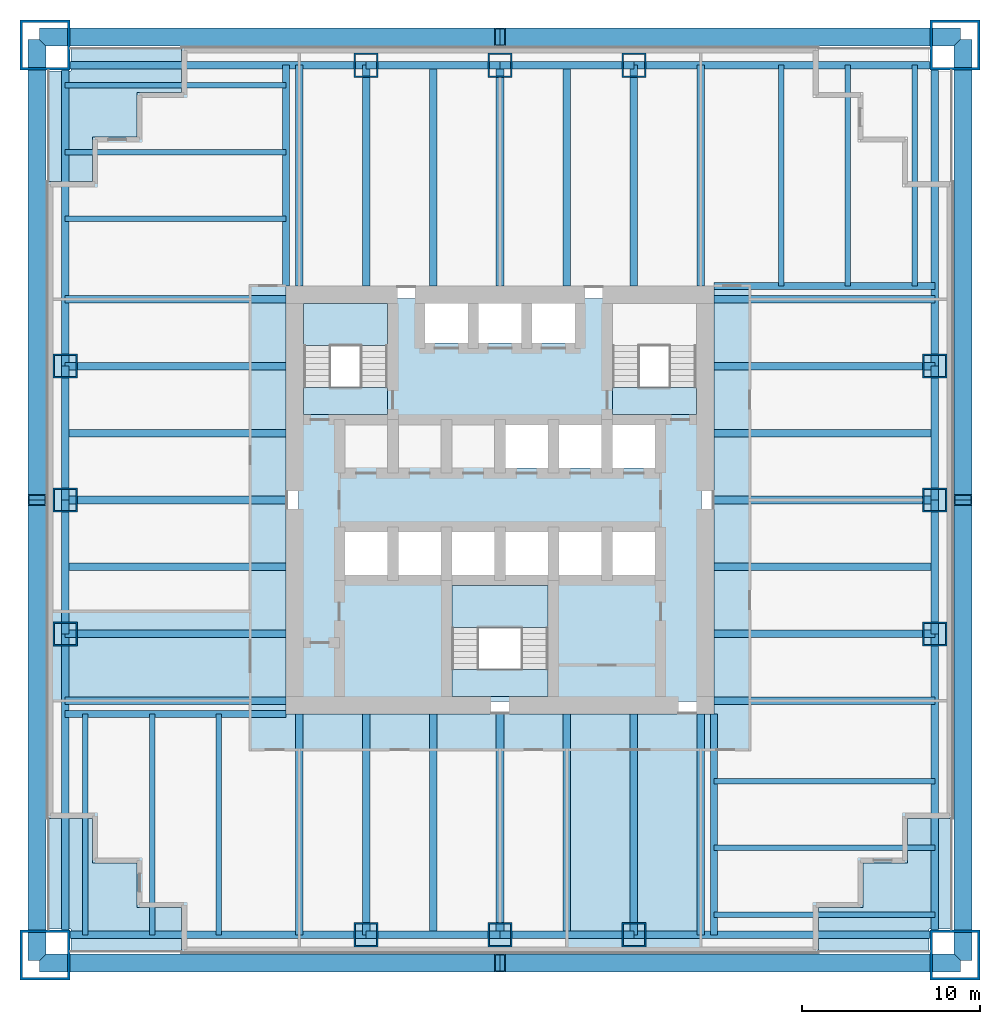
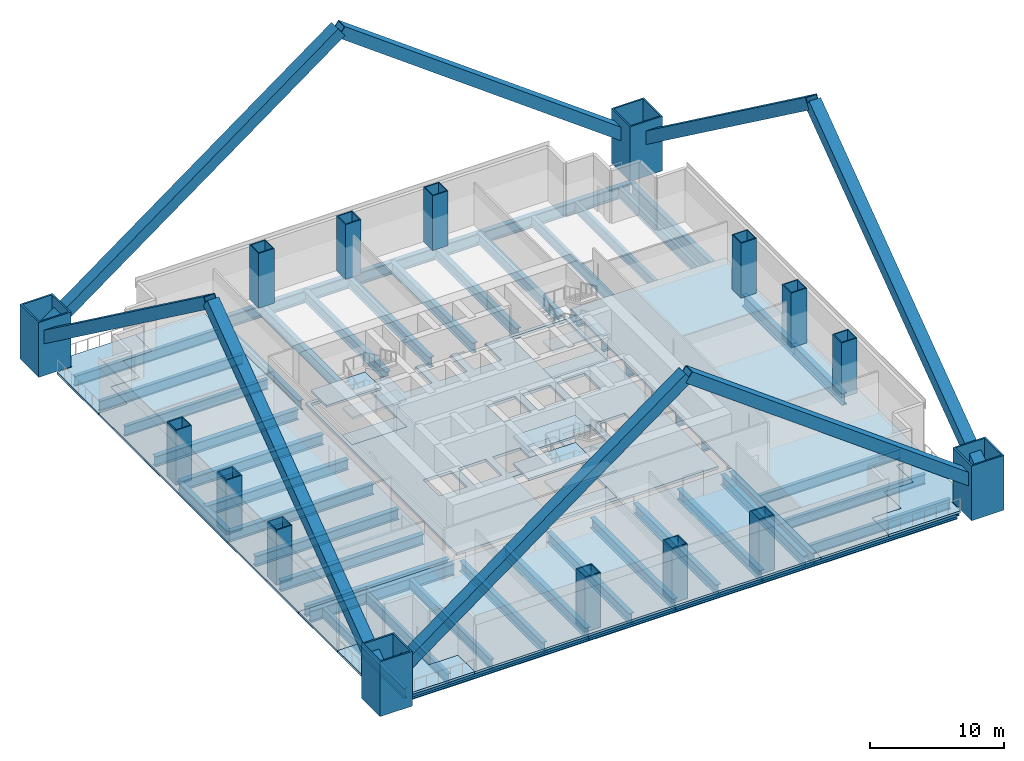
# One storey, part 1 of 6: 60 beams, 16 columns, 16 slabs, 8 members, 3 elements without a shape of their own.
"""IFC4 building model written with IfcOpenShell, lengths in metres."""

from ifc_helpers import new_model, si_unit, direction, frame, origin, origin_2d, place, context, subcontext, project, spatial, polyline, hollow_rectangle, i_section, outline, extrude, material, layer, layer_set, material_profile, profile_set, type_object, element, aggregate, save


model = new_model("IFC4")

# Units and contexts
model_context = context("Model", 3, precision=1e-05, world=origin(), true_north=direction((0.0, 1.0)))
body_context = subcontext(model_context, "Body", "Model", "MODEL_VIEW")
ifc_project = project(units=[si_unit("LENGTHUNIT", "METRE"), si_unit("AREAUNIT", "SQUARE_METRE"), si_unit("VOLUMEUNIT", "CUBIC_METRE"), si_unit("PLANEANGLEUNIT", "RADIAN"), si_unit("MASSUNIT", "GRAM", prefix="KILO")], contexts=[model_context])

# Site, building, storey
site_placement = place(None, origin())
site = spatial("IfcSite", under=ifc_project, at=site_placement, CompositionType="ELEMENT")
building_placement = place(site_placement, origin())
building = spatial("IfcBuilding", under=site, at=building_placement, Name="Tarangal Relay Tower", CompositionType="ELEMENT")
storey_placement = place(building_placement, frame((0.0, 0.0, 58.39990234375)))
storey = spatial("IfcBuildingStorey", under=building, at=storey_placement, Name="L11", CompositionType="ELEMENT", Elevation=58.39990234375)

# Columns
ifc_material_1 = material(Name="Steel ASTM A572 Grade 42", Category="steel")
ifc_material_profile_1 = material_profile(ifc_material_1, hollow_rectangle(XDim=2.800048828125, YDim=2.800048828125, WallThickness=0.139892578125, at=origin_2d()), Name="BOX2800X2800X140")
ifc_profile_set_1 = profile_set([ifc_material_profile_1], Name="Steel ASTM A572 Grade 42")
column_type_1 = type_object("IfcColumnType", Name="Mega column BOX2800X2800X140", PredefinedType="COLUMN", material=ifc_profile_set_1)
for number, where, z_axis, x_axis, name in (
    (1, (25.5, 25.5, 0.0), (0.0, 0.0, 1.0), (1.0, 0.0, 0.0), "Mega column MC1 NE L11"),
    (2, (25.5, -25.5, 0.0), (0.0, 0.0, 1.0), (1.0, 0.0, 0.0), "Mega column MC1 SE L11"),
    (3, (-25.5, -25.5, 0.0), (0.0, 0.0, 1.0), (1.0, 0.0, 0.0), "Mega column MC1 SW L11"),
    (4, (-25.5, 25.5, 0.0), (0.0, 0.0, 1.0), (1.0, 0.0, 0.0), "Mega column MC1 NW L11"),
):
    element("IfcColumn", number, at=place(storey_placement, frame(where, z_axis=z_axis, x_axis=x_axis)), inside=storey, type_object=column_type_1, Name=name, PredefinedType="COLUMN", context=body_context, shape_type="SweptSolid", body=[
        extrude(hollow_rectangle(XDim=2.800048828125, YDim=2.800048828125, WallThickness=0.139892578125, at=origin_2d()), origin(), (0.0, 0.0, 1.0), 5.0),
    ])
ifc_material_2 = material(Name="Steel ASTM A572 Grade 50", Category="steel")
ifc_material_profile_2 = material_profile(ifc_material_2, hollow_rectangle(XDim=1.35009765625, YDim=1.35009765625, WallThickness=0.0849609375, at=origin_2d()), Name="BOX1350X1350X85")
ifc_profile_set_2 = profile_set([ifc_material_profile_2], Name="Steel ASTM A572 Grade 50")
column_type_2 = type_object("IfcColumnType", Name="Perimeter column BOX1350X1350X85", PredefinedType="COLUMN", material=ifc_profile_set_2)
for number, where, z_axis, x_axis, name in (
    (5, (-7.5, 24.364990234375, 0.0), (0.0, 0.0, 1.0), (1.0, 0.0, 0.0), "Perimeter column PC2 N L11"),
    (6, (0.0, 24.364990234375, 0.0), (0.0, 0.0, 1.0), (1.0, 0.0, 0.0), "Perimeter column PC2 N L11"),
    (7, (7.5, 24.364990234375, 0.0), (0.0, 0.0, 1.0), (1.0, 0.0, 0.0), "Perimeter column PC2 N L11"),
    (8, (24.364990234375, 7.5, 0.0), (0.0, 0.0, 1.0), (1.0, 0.0, 0.0), "Perimeter column PC2 E L11"),
    (9, (24.364990234375, 0.0, 0.0), (0.0, 0.0, 1.0), (1.0, 0.0, 0.0), "Perimeter column PC2 E L11"),
    (10, (24.364990234375, -7.5, 0.0), (0.0, 0.0, 1.0), (1.0, 0.0, 0.0), "Perimeter column PC2 E L11"),
    (11, (7.5, -24.364990234375, 0.0), (0.0, 0.0, 1.0), (1.0, 0.0, 0.0), "Perimeter column PC2 S L11"),
    (12, (0.0, -24.364990234375, 0.0), (0.0, 0.0, 1.0), (1.0, 0.0, 0.0), "Perimeter column PC2 S L11"),
    (13, (-7.5, -24.364990234375, 0.0), (0.0, 0.0, 1.0), (1.0, 0.0, 0.0), "Perimeter column PC2 S L11"),
    (14, (-24.364990234375, -7.5, 0.0), (0.0, 0.0, 1.0), (1.0, 0.0, 0.0), "Perimeter column PC2 W L11"),
    (15, (-24.364990234375, 0.0, 0.0), (0.0, 0.0, 1.0), (1.0, 0.0, 0.0), "Perimeter column PC2 W L11"),
    (16, (-24.364990234375, 7.5, 0.0), (0.0, 0.0, 1.0), (1.0, 0.0, 0.0), "Perimeter column PC2 W L11"),
):
    element("IfcColumn", number, at=place(storey_placement, frame(where, z_axis=z_axis, x_axis=x_axis)), inside=storey, type_object=column_type_2, Name=name, PredefinedType="COLUMN", context=body_context, shape_type="SweptSolid", body=[
        extrude(hollow_rectangle(XDim=1.35009765625, YDim=1.35009765625, WallThickness=0.0849609375, at=origin_2d()), origin(), (0.0, 0.0, 1.0), 5.0),
    ])

# Beams
ifc_material_3 = material(Name="Steel ASTM A992", Category="steel")
ifc_material_profile_3 = material_profile(ifc_material_3, i_section(OverallWidth=0.307373046875, OverallDepth=0.927001953125, WebThickness=0.019287109375, FlangeThickness=0.031982421875, at=origin_2d()), Name="W36X194")
ifc_profile_set_3 = profile_set([ifc_material_profile_3], Name="Steel ASTM A992")
beam_type_1 = type_object("IfcBeamType", Name="Corner beam W36X194", PredefinedType="JOIST", material=ifc_profile_set_3)
for number, where, z_axis, x_axis, name in (
    (17, (15.75, 12.0, -0.66357421875), (0.0, 1.0, 0.0), (-1.0, 0.0, 0.0), "Corner beam CB10 N L11"),
    (18, (19.5, 12.0, -0.66357421875), (0.0, 1.0, 0.0), (-1.0, 0.0, 0.0), "Corner beam CB10 N L11"),
    (19, (23.25, 12.0, -0.66357421875), (0.0, 1.0, 0.0), (-1.0, 0.0, 0.0), "Corner beam CB10 N L11"),
    (20, (12.0, -15.75, -0.66357421875), (1.0, 0.0, 0.0), (0.0, 1.0, 0.0), "Corner beam CB10 E L11"),
    (21, (12.0, -19.5, -0.66357421875), (1.0, 0.0, 0.0), (0.0, 1.0, 0.0), "Corner beam CB10 E L11"),
    (22, (12.0, -23.25, -0.66357421875), (1.0, 0.0, 0.0), (0.0, 1.0, 0.0), "Corner beam CB10 E L11"),
    (23, (-15.75, -12.0, -0.66357421875), (0.0, -1.0, 0.0), (1.0, 0.0, 0.0), "Corner beam CB10 S L11"),
    (24, (-19.5, -12.0, -0.66357421875), (0.0, -1.0, 0.0), (1.0, 0.0, 0.0), "Corner beam CB10 S L11"),
    (25, (-23.25, -12.0, -0.66357421875), (0.0, -1.0, 0.0), (1.0, 0.0, 0.0), "Corner beam CB10 S L11"),
    (26, (-12.0, 15.75, -0.66357421875), (-1.0, 0.0, 0.0), (0.0, -1.0, 0.0), "Corner beam CB10 W L11"),
    (27, (-12.0, 19.5, -0.66357421875), (-1.0, 0.0, 0.0), (0.0, -1.0, 0.0), "Corner beam CB10 W L11"),
    (28, (-12.0, 23.25, -0.66357421875), (-1.0, 0.0, 0.0), (0.0, -1.0, 0.0), "Corner beam CB10 W L11"),
):
    element("IfcBeam", number, at=place(storey_placement, frame(where, z_axis=z_axis, x_axis=x_axis)), inside=storey, type_object=beam_type_1, Name=name, PredefinedType="JOIST", context=body_context, shape_type="SweptSolid", body=[
        extrude(i_section(OverallWidth=0.307373046875, OverallDepth=0.927001953125, WebThickness=0.019287109375, FlangeThickness=0.031982421875, at=origin_2d()), origin(), (0.0, 0.0, 1.0), 12.364990234375),
    ])
ifc_material_profile_4 = material_profile(ifc_material_3, i_section(OverallWidth=0.40380859375, OverallDepth=1.036376953125, WebThickness=0.031005859375, FlangeThickness=0.0458984375, at=origin_2d()), Name="W40X331")
ifc_profile_set_4 = profile_set([ifc_material_profile_4], Name="Steel ASTM A992")
beam_type_2 = type_object("IfcBeamType", Name="Corner girder W40X331", PredefinedType="BEAM", material=ifc_profile_set_4)
for number, where, z_axis, x_axis, name in (
    (29, (12.0, 12.0, -0.718017578125), (1.0, 0.0, 0.0), (0.0, 1.0, 0.0), "Corner girder CG2 N L11"),
    (30, (12.0, -12.0, -0.718017578125), (0.0, -1.0, 0.0), (1.0, 0.0, 0.0), "Corner girder CG2 E L11"),
    (31, (-12.0, -12.0, -0.718017578125), (-1.0, 0.0, 0.0), (0.0, -1.0, 0.0), "Corner girder CG2 S L11"),
    (32, (-12.0, 12.0, -0.718017578125), (0.0, 1.0, 0.0), (-1.0, 0.0, 0.0), "Corner girder CG2 W L11"),
):
    element("IfcBeam", number, at=place(storey_placement, frame(where, z_axis=z_axis, x_axis=x_axis)), inside=storey, type_object=beam_type_2, Name=name, PredefinedType="BEAM", context=body_context, shape_type="SweptSolid", body=[
        extrude(i_section(OverallWidth=0.40380859375, OverallDepth=1.036376953125, WebThickness=0.031005859375, FlangeThickness=0.0458984375, at=origin_2d()), origin(), (0.0, 0.0, 1.0), 12.364990234375),
    ])
ifc_material_profile_5 = material_profile(ifc_material_3, i_section(OverallWidth=0.42431640625, OverallDepth=1.09228515625, WebThickness=0.04541015625, FlangeThickness=0.08203125, at=origin_2d()), Name="W40X593")
ifc_profile_set_5 = profile_set([ifc_material_profile_5], Name="Steel ASTM A992")
beam_type_3 = type_object("IfcBeamType", Name="Edge girder W40X593", PredefinedType="SPANDREL", material=ifc_profile_set_5)
beam_1_placement = place(storey_placement, frame((-24.25, 24.364990234375, -0.74609375), z_axis=(1.0, 0.0, 0.0), x_axis=(0.0, 1.0, 0.0)))
element("IfcBeam", 33, at=beam_1_placement, inside=storey, type_object=beam_type_3, Name="Edge girder EG9 N L11", PredefinedType="SPANDREL", context=body_context, shape_type="SweptSolid", body=[
    extrude(i_section(OverallWidth=0.42431640625, OverallDepth=1.09228515625, WebThickness=0.04541015625, FlangeThickness=0.08203125, at=origin_2d()), origin(), (0.0, 0.0, 1.0), 16.75),
])
for number, where, z_axis, x_axis, name in (
    (34, (-7.5, 24.364990234375, -0.74609375), (1.0, 0.0, 0.0), (0.0, 1.0, 0.0), "Edge girder EG9 N L11"),
    (35, (0.0, 24.364990234375, -0.74609375), (1.0, 0.0, 0.0), (0.0, 1.0, 0.0), "Edge girder EG9 N L11"),
):
    element("IfcBeam", number, at=place(storey_placement, frame(where, z_axis=z_axis, x_axis=x_axis)), inside=storey, type_object=beam_type_3, Name=name, PredefinedType="SPANDREL", context=body_context, shape_type="SweptSolid", body=[
        extrude(i_section(OverallWidth=0.42431640625, OverallDepth=1.09228515625, WebThickness=0.04541015625, FlangeThickness=0.08203125, at=origin_2d()), origin(), (0.0, 0.0, 1.0), 7.5),
    ])
for number, where, z_axis, x_axis, name in (
    (36, (7.5, 24.364990234375, -0.74609375), (1.0, 0.0, 0.0), (0.0, 1.0, 0.0), "Edge girder EG9 N L11"),
    (37, (24.364990234375, 24.25, -0.74609375), (0.0, -1.0, 0.0), (1.0, 0.0, 0.0), "Edge girder EG9 E L11"),
):
    element("IfcBeam", number, at=place(storey_placement, frame(where, z_axis=z_axis, x_axis=x_axis)), inside=storey, type_object=beam_type_3, Name=name, PredefinedType="SPANDREL", context=body_context, shape_type="SweptSolid", body=[
        extrude(i_section(OverallWidth=0.42431640625, OverallDepth=1.09228515625, WebThickness=0.04541015625, FlangeThickness=0.08203125, at=origin_2d()), origin(), (0.0, 0.0, 1.0), 16.75),
    ])
for number, where, z_axis, x_axis, name in (
    (38, (24.364990234375, 7.5, -0.74609375), (0.0, -1.0, 0.0), (1.0, 0.0, 0.0), "Edge girder EG9 E L11"),
    (39, (24.364990234375, 0.0, -0.74609375), (0.0, -1.0, 0.0), (1.0, 0.0, 0.0), "Edge girder EG9 E L11"),
):
    element("IfcBeam", number, at=place(storey_placement, frame(where, z_axis=z_axis, x_axis=x_axis)), inside=storey, type_object=beam_type_3, Name=name, PredefinedType="SPANDREL", context=body_context, shape_type="SweptSolid", body=[
        extrude(i_section(OverallWidth=0.42431640625, OverallDepth=1.09228515625, WebThickness=0.04541015625, FlangeThickness=0.08203125, at=origin_2d()), origin(), (0.0, 0.0, 1.0), 7.5),
    ])
for number, where, z_axis, x_axis, name in (
    (40, (24.364990234375, -7.5, -0.74609375), (0.0, -1.0, 0.0), (1.0, 0.0, 0.0), "Edge girder EG9 E L11"),
    (41, (24.25, -24.364990234375, -0.74609375), (-1.0, 0.0, 0.0), (0.0, -1.0, 0.0), "Edge girder EG9 S L11"),
):
    element("IfcBeam", number, at=place(storey_placement, frame(where, z_axis=z_axis, x_axis=x_axis)), inside=storey, type_object=beam_type_3, Name=name, PredefinedType="SPANDREL", context=body_context, shape_type="SweptSolid", body=[
        extrude(i_section(OverallWidth=0.42431640625, OverallDepth=1.09228515625, WebThickness=0.04541015625, FlangeThickness=0.08203125, at=origin_2d()), origin(), (0.0, 0.0, 1.0), 16.75),
    ])
for number, where, z_axis, x_axis, name in (
    (42, (7.5, -24.364990234375, -0.74609375), (-1.0, 0.0, 0.0), (0.0, -1.0, 0.0), "Edge girder EG9 S L11"),
    (43, (0.0, -24.364990234375, -0.74609375), (-1.0, 0.0, 0.0), (0.0, -1.0, 0.0), "Edge girder EG9 S L11"),
):
    element("IfcBeam", number, at=place(storey_placement, frame(where, z_axis=z_axis, x_axis=x_axis)), inside=storey, type_object=beam_type_3, Name=name, PredefinedType="SPANDREL", context=body_context, shape_type="SweptSolid", body=[
        extrude(i_section(OverallWidth=0.42431640625, OverallDepth=1.09228515625, WebThickness=0.04541015625, FlangeThickness=0.08203125, at=origin_2d()), origin(), (0.0, 0.0, 1.0), 7.5),
    ])
for number, where, z_axis, x_axis, name in (
    (44, (-7.5, -24.364990234375, -0.74609375), (-1.0, 0.0, 0.0), (0.0, -1.0, 0.0), "Edge girder EG9 S L11"),
    (45, (-24.364990234375, -24.25, -0.74609375), (0.0, 1.0, 0.0), (-1.0, 0.0, 0.0), "Edge girder EG9 W L11"),
):
    element("IfcBeam", number, at=place(storey_placement, frame(where, z_axis=z_axis, x_axis=x_axis)), inside=storey, type_object=beam_type_3, Name=name, PredefinedType="SPANDREL", context=body_context, shape_type="SweptSolid", body=[
        extrude(i_section(OverallWidth=0.42431640625, OverallDepth=1.09228515625, WebThickness=0.04541015625, FlangeThickness=0.08203125, at=origin_2d()), origin(), (0.0, 0.0, 1.0), 16.75),
    ])
for number, where, z_axis, x_axis, name in (
    (46, (-24.364990234375, -7.5, -0.74609375), (0.0, 1.0, 0.0), (-1.0, 0.0, 0.0), "Edge girder EG9 W L11"),
    (47, (-24.364990234375, 0.0, -0.74609375), (0.0, 1.0, 0.0), (-1.0, 0.0, 0.0), "Edge girder EG9 W L11"),
):
    element("IfcBeam", number, at=place(storey_placement, frame(where, z_axis=z_axis, x_axis=x_axis)), inside=storey, type_object=beam_type_3, Name=name, PredefinedType="SPANDREL", context=body_context, shape_type="SweptSolid", body=[
        extrude(i_section(OverallWidth=0.42431640625, OverallDepth=1.09228515625, WebThickness=0.04541015625, FlangeThickness=0.08203125, at=origin_2d()), origin(), (0.0, 0.0, 1.0), 7.5),
    ])
beam_2_placement = place(storey_placement, frame((-24.364990234375, 7.5, -0.74609375), z_axis=(0.0, 1.0, 0.0), x_axis=(-1.0, 0.0, 0.0)))
element("IfcBeam", 48, at=beam_2_placement, inside=storey, type_object=beam_type_3, Name="Edge girder EG9 W L11", PredefinedType="SPANDREL", context=body_context, shape_type="SweptSolid", body=[
    extrude(i_section(OverallWidth=0.42431640625, OverallDepth=1.09228515625, WebThickness=0.04541015625, FlangeThickness=0.08203125, at=origin_2d()), origin(), (0.0, 0.0, 1.0), 16.75),
])
ifc_material_profile_6 = material_profile(ifc_material_3, i_section(OverallWidth=0.42431640625, OverallDepth=0.947509765625, WebThickness=0.02392578125, FlangeThickness=0.042724609375, at=origin_2d()), Name="W36X302")
ifc_profile_set_6 = profile_set([ifc_material_profile_6], Name="Steel ASTM A992")
beam_type_4 = type_object("IfcBeamType", Name="Floor beam W36X302", PredefinedType="BEAM", material=ifc_profile_set_6)
for number, where, z_axis, x_axis, name in (
    (49, (-11.25, 12.0, -0.673583984375), (0.0, 1.0, 0.0), (-1.0, 0.0, 0.0), "Floor beam RB10 N L11"),
    (50, (-7.5, 12.0, -0.673583984375), (0.0, 1.0, 0.0), (-1.0, 0.0, 0.0), "Floor beam RB10 N L11"),
    (51, (-3.75, 12.0, -0.673583984375), (0.0, 1.0, 0.0), (-1.0, 0.0, 0.0), "Floor beam RB10 N L11"),
    (52, (0.0, 12.0, -0.673583984375), (0.0, 1.0, 0.0), (-1.0, 0.0, 0.0), "Floor beam RB10 N L11"),
    (53, (3.75, 12.0, -0.673583984375), (0.0, 1.0, 0.0), (-1.0, 0.0, 0.0), "Floor beam RB10 N L11"),
    (54, (7.5, 12.0, -0.673583984375), (0.0, 1.0, 0.0), (-1.0, 0.0, 0.0), "Floor beam RB10 N L11"),
    (55, (11.25, 12.0, -0.673583984375), (0.0, 1.0, 0.0), (-1.0, 0.0, 0.0), "Floor beam RB10 N L11"),
    (56, (12.0, 11.25, -0.673583984375), (1.0, 0.0, 0.0), (0.0, 1.0, 0.0), "Floor beam RB10 E L11"),
    (57, (12.0, 7.5, -0.673583984375), (1.0, 0.0, 0.0), (0.0, 1.0, 0.0), "Floor beam RB10 E L11"),
    (58, (12.0, 3.75, -0.673583984375), (1.0, 0.0, 0.0), (0.0, 1.0, 0.0), "Floor beam RB10 E L11"),
    (59, (12.0, 0.0, -0.673583984375), (1.0, 0.0, 0.0), (0.0, 1.0, 0.0), "Floor beam RB10 E L11"),
    (60, (12.0, -3.75, -0.673583984375), (1.0, 0.0, 0.0), (0.0, 1.0, 0.0), "Floor beam RB10 E L11"),
    (61, (12.0, -7.5, -0.673583984375), (1.0, 0.0, 0.0), (0.0, 1.0, 0.0), "Floor beam RB10 E L11"),
    (62, (12.0, -11.25, -0.673583984375), (1.0, 0.0, 0.0), (0.0, 1.0, 0.0), "Floor beam RB10 E L11"),
    (63, (11.25, -12.0, -0.673583984375), (0.0, -1.0, 0.0), (1.0, 0.0, 0.0), "Floor beam RB10 S L11"),
    (64, (7.5, -12.0, -0.673583984375), (0.0, -1.0, 0.0), (1.0, 0.0, 0.0), "Floor beam RB10 S L11"),
    (65, (3.75, -12.0, -0.673583984375), (0.0, -1.0, 0.0), (1.0, 0.0, 0.0), "Floor beam RB10 S L11"),
    (66, (0.0, -12.0, -0.673583984375), (0.0, -1.0, 0.0), (1.0, 0.0, 0.0), "Floor beam RB10 S L11"),
    (67, (-3.75, -12.0, -0.673583984375), (0.0, -1.0, 0.0), (1.0, 0.0, 0.0), "Floor beam RB10 S L11"),
    (68, (-7.5, -12.0, -0.673583984375), (0.0, -1.0, 0.0), (1.0, 0.0, 0.0), "Floor beam RB10 S L11"),
    (69, (-11.25, -12.0, -0.673583984375), (0.0, -1.0, 0.0), (1.0, 0.0, 0.0), "Floor beam RB10 S L11"),
    (70, (-12.0, -11.25, -0.673583984375), (-1.0, 0.0, 0.0), (0.0, -1.0, 0.0), "Floor beam RB10 W L11"),
    (71, (-12.0, -7.5, -0.673583984375), (-1.0, 0.0, 0.0), (0.0, -1.0, 0.0), "Floor beam RB10 W L11"),
    (72, (-12.0, -3.75, -0.673583984375), (-1.0, 0.0, 0.0), (0.0, -1.0, 0.0), "Floor beam RB10 W L11"),
    (73, (-12.0, 0.0, -0.673583984375), (-1.0, 0.0, 0.0), (0.0, -1.0, 0.0), "Floor beam RB10 W L11"),
    (74, (-12.0, 3.75, -0.673583984375), (-1.0, 0.0, 0.0), (0.0, -1.0, 0.0), "Floor beam RB10 W L11"),
    (75, (-12.0, 7.5, -0.673583984375), (-1.0, 0.0, 0.0), (0.0, -1.0, 0.0), "Floor beam RB10 W L11"),
    (76, (-12.0, 11.25, -0.673583984375), (-1.0, 0.0, 0.0), (0.0, -1.0, 0.0), "Floor beam RB10 W L11"),
):
    element("IfcBeam", number, at=place(storey_placement, frame(where, z_axis=z_axis, x_axis=x_axis)), inside=storey, type_object=beam_type_4, Name=name, PredefinedType="BEAM", context=body_context, shape_type="SweptSolid", body=[
        extrude(i_section(OverallWidth=0.42431640625, OverallDepth=0.947509765625, WebThickness=0.02392578125, FlangeThickness=0.042724609375, at=origin_2d()), origin(), (0.0, 0.0, 1.0), 12.364990234375),
    ])

# Members
ifc_material_profile_7 = material_profile(ifc_material_2, hollow_rectangle(XDim=1.0, YDim=1.0, WallThickness=0.06005859375, at=origin_2d()), Name="BOX1000X1000X60")
ifc_profile_set_7 = profile_set([ifc_material_profile_7], Name="Steel ASTM A572 Grade 50")
member_type = type_object("IfcMemberType", Name="Mega brace BOX1000X1000X60", PredefinedType="BRACE", material=ifc_profile_set_7)
for number, where, z_axis, x_axis, name in (
    (77, (-25.5, 25.949951171875, 2.5), (0.805651012649, 0.0, 0.592390450478), (0.0, 1.0, 0.0), "Mega brace MB1 N face module 2"),
    (78, (25.5, 25.949951171875, 2.5), (-0.805651012649, 0.0, 0.592390450478), (0.0, -1.0, 0.0), "Mega brace MB1 N face module 2"),
    (79, (25.949951171875, 25.5, 2.5), (0.0, -0.805651012649, 0.592390450478), (1.0, 0.0, 0.0), "Mega brace MB1 E face module 2"),
    (80, (25.949951171875, -25.5, 2.5), (0.0, 0.805651012649, 0.592390450478), (-1.0, 0.0, 0.0), "Mega brace MB1 E face module 2"),
    (81, (25.5, -25.949951171875, 2.5), (-0.805651012649, 0.0, 0.592390450478), (0.0, -1.0, 0.0), "Mega brace MB1 S face module 2"),
    (82, (-25.5, -25.949951171875, 2.5), (0.805651012649, 0.0, 0.592390450478), (0.0, 1.0, 0.0), "Mega brace MB1 S face module 2"),
    (83, (-25.949951171875, -25.5, 2.5), (0.0, 0.805651012649, 0.592390450478), (-1.0, 0.0, 0.0), "Mega brace MB1 W face module 2"),
    (84, (-25.949951171875, 25.5, 2.5), (0.0, -0.805651012649, 0.592390450478), (1.0, 0.0, 0.0), "Mega brace MB1 W face module 2"),
):
    element("IfcMember", number, at=place(storey_placement, frame(where, z_axis=z_axis, x_axis=x_axis)), inside=storey, type_object=member_type, Name=name, PredefinedType="BRACE", context=body_context, shape_type="SweptSolid", body=[
        extrude(hollow_rectangle(XDim=1.0, YDim=1.0, WallThickness=0.06005859375, at=origin_2d()), origin(), (0.0, 0.0, 1.0), 31.6513671875),
    ])

# Slabs
ifc_material_4 = material(Name="Concrete fc' 35 MPa", Category="concrete")
ifc_layer_1 = layer(ifc_material_4, 0.25)
ifc_layer_set_1 = layer_set([ifc_layer_1], Name="Core floor slab 250")
slab_type_1 = type_object("IfcSlabType", Name="Core floor slab 250", PredefinedType="FLOOR", material=ifc_layer_set_1)
slab_1_placement = place(storey_placement, frame((0.0, 0.0, -0.25)))
element("IfcSlab", 85, at=slab_1_placement, inside=storey, type_object=slab_type_1, Name="Core floor slab L11", PredefinedType="FLOOR", context=body_context, shape_type="SweptSolid", body=[
    extrude(outline(polyline([(11.300048828125, 11.300048828125), (11.300048828125, -11.300048828125), (-11.300048828125, -11.300048828125), (-11.300048828125, 11.300048828125), (-4.199951171875, 11.300048828125), (-4.199951171875, 8.800048828125), (-1.800048828125, 8.800048828125), (-1.800048828125, 11.300048828125), (-1.199951171875, 11.300048828125), (-1.199951171875, 8.800048828125), (1.199951171875, 8.800048828125), (1.199951171875, 11.300048828125), (1.800048828125, 11.300048828125), (1.800048828125, 8.800048828125), (4.199951171875, 8.800048828125), (4.199951171875, 11.300048828125), (11.300048828125, 11.300048828125)]), holes=[polyline([(2.699951171875, -4.800048828125), (-2.699951171875, -4.800048828125), (-2.699951171875, -11.0), (2.699951171875, -11.0), (2.699951171875, -4.800048828125)]), polyline([(-6.300048828125, -4.199951171875), (-6.300048828125, -1.800048828125), (-8.699951171875, -1.800048828125), (-8.699951171875, -4.199951171875), (-6.300048828125, -4.199951171875)]), polyline([(-3.300048828125, -4.199951171875), (-3.300048828125, -1.800048828125), (-5.699951171875, -1.800048828125), (-5.699951171875, -4.199951171875), (-3.300048828125, -4.199951171875)]), polyline([(-0.300048828125, -4.199951171875), (-0.300048828125, -1.800048828125), (-2.699951171875, -1.800048828125), (-2.699951171875, -4.199951171875), (-0.300048828125, -4.199951171875)]), polyline([(2.699951171875, 1.800048828125), (2.699951171875, 4.199951171875), (0.300048828125, 4.199951171875), (0.300048828125, 1.800048828125), (2.699951171875, 1.800048828125)]), polyline([(-6.300048828125, 4.800048828125), (-6.300048828125, 11.0), (-11.0, 11.0), (-11.0, 4.800048828125), (-6.300048828125, 4.800048828125)]), polyline([(2.699951171875, -4.199951171875), (2.699951171875, -1.800048828125), (0.300048828125, -1.800048828125), (0.300048828125, -4.199951171875), (2.699951171875, -4.199951171875)]), polyline([(5.699951171875, -4.199951171875), (5.699951171875, -1.800048828125), (3.300048828125, -1.800048828125), (3.300048828125, -4.199951171875), (5.699951171875, -4.199951171875)]), polyline([(8.699951171875, -4.199951171875), (8.699951171875, -1.800048828125), (6.300048828125, -1.800048828125), (6.300048828125, -4.199951171875), (8.699951171875, -4.199951171875)]), polyline([(5.699951171875, 1.800048828125), (5.699951171875, 4.199951171875), (3.300048828125, 4.199951171875), (3.300048828125, 1.800048828125), (5.699951171875, 1.800048828125)]), polyline([(8.699951171875, 1.800048828125), (8.699951171875, 4.199951171875), (6.300048828125, 4.199951171875), (6.300048828125, 1.800048828125), (8.699951171875, 1.800048828125)]), polyline([(11.0, 4.800048828125), (11.0, 11.0), (6.300048828125, 11.0), (6.300048828125, 4.800048828125), (11.0, 4.800048828125)])]), origin(), (0.0, 0.0, 1.0), 0.25),
])
ifc_layer_2 = layer(ifc_material_4, 0.199951171875)
ifc_layer_set_2 = layer_set([ifc_layer_2], Name="Floor slab 200")
slab_type_2 = type_object("IfcSlabType", Name="Floor slab 200", PredefinedType="FLOOR", material=ifc_layer_set_2)
slab_2_placement = place(storey_placement, frame((0.0, 0.0, -0.199951171875)))
element("IfcSlab", 86, at=slab_2_placement, inside=storey, type_object=slab_type_2, Name="Floor slab FS2 L11 east bay", PredefinedType="FLOOR", context=body_context, shape_type="SweptSolid", body=[
    extrude(outline(polyline([(25.35009765625, -17.85009765625), (22.85009765625, -17.85009765625), (22.85009765625, -20.35009765625), (20.35009765625, -20.35009765625), (20.35009765625, -22.85009765625), (17.85009765625, -22.85009765625), (17.85009765625, -25.35009765625), (12.0, -25.35009765625), (12.0, 12.0), (25.35009765625, 12.0), (25.35009765625, -17.85009765625)])), origin(), (0.0, 0.0, 1.0), 0.199951171875),
])
slab_3_placement = place(storey_placement, frame((0.0, 0.0, -0.199951171875)))
element("IfcSlab", 87, at=slab_3_placement, inside=storey, type_object=slab_type_2, Name="Floor slab FS2 L11 south bay", PredefinedType="FLOOR", context=body_context, shape_type="SweptSolid", body=[
    extrude(outline(polyline([(-17.85009765625, -25.35009765625), (-17.85009765625, -22.85009765625), (-20.35009765625, -22.85009765625), (-20.35009765625, -20.35009765625), (-22.85009765625, -20.35009765625), (-22.85009765625, -17.85009765625), (-25.35009765625, -17.85009765625), (-25.35009765625, -12.0), (12.0, -12.0), (12.0, -25.35009765625), (-17.85009765625, -25.35009765625)])), origin(), (0.0, 0.0, 1.0), 0.199951171875),
])
slab_4_placement = place(storey_placement, frame((0.0, 0.0, -0.199951171875)))
element("IfcSlab", 88, at=slab_4_placement, inside=storey, type_object=slab_type_2, Name="Floor slab FS2 L11 west bay", PredefinedType="FLOOR", context=body_context, shape_type="SweptSolid", body=[
    extrude(outline(polyline([(-12.0, 25.35009765625), (-12.0, -12.0), (-25.35009765625, -12.0), (-25.35009765625, 17.85009765625), (-22.85009765625, 17.85009765625), (-22.85009765625, 20.35009765625), (-20.35009765625, 20.35009765625), (-20.35009765625, 22.85009765625), (-17.85009765625, 22.85009765625), (-17.85009765625, 25.35009765625), (-12.0, 25.35009765625)])), origin(), (0.0, 0.0, 1.0), 0.199951171875),
])

# Stair, slabs
ifc_material_5 = material(Name="Steel ASTM A992 stair flight", Category="steel")
stair_type = type_object("IfcStairType", Name="Core stair 1500", PredefinedType="HALF_TURN_STAIR", material=ifc_material_5)
stair_1_placement = place(storey_placement, origin())
stair_1 = element("IfcStair", 89, at=stair_1_placement, inside=storey, type_object=stair_type, Name="Stair ST-A L11", PredefinedType="HALF_TURN_STAIR")
ifc_layer_3 = layer(ifc_material_4, 0.199951171875)
ifc_layer_set_3 = layer_set([ifc_layer_3], Name="Stair landing 200")
slab_type_3 = type_object("IfcSlabType", Name="Stair landing 200", PredefinedType="LANDING", material=ifc_layer_set_3)
slab_5_placement = place(storey_placement, frame((0.0, 0.0, -0.199951171875)))
slab_5 = element("IfcSlab", 90, at=slab_5_placement, type_object=slab_type_3, Name="ST-A landing 1", PredefinedType="LANDING", context=body_context, shape_type="SweptSolid", body=[
    extrude(outline(polyline([(-11.0, 4.800048828125), (-6.300048828125, 4.800048828125), (-6.300048828125, 6.300048828125), (-11.0, 6.300048828125), (-11.0, 4.800048828125)])), origin(), (0.0, 0.0, 1.0), 0.199951171875),
])
slab_6_placement = place(storey_placement, frame((0.0, 0.0, 1.050048828125)))
slab_6 = element("IfcSlab", 91, at=slab_6_placement, type_object=slab_type_3, Name="ST-A landing 2", PredefinedType="LANDING", context=body_context, shape_type="SweptSolid", body=[
    extrude(outline(polyline([(-11.0, 8.64501953125), (-6.300048828125, 8.64501953125), (-6.300048828125, 11.0), (-11.0, 11.0), (-11.0, 8.64501953125)])), origin(), (0.0, 0.0, 1.0), 0.199951171875),
])
slab_7_placement = place(storey_placement, frame((0.0, 0.0, 2.300048828125)))
slab_7 = element("IfcSlab", 92, at=slab_7_placement, type_object=slab_type_3, Name="ST-A landing 3", PredefinedType="LANDING", context=body_context, shape_type="SweptSolid", body=[
    extrude(outline(polyline([(-11.0, 4.800048828125), (-6.300048828125, 4.800048828125), (-6.300048828125, 6.300048828125), (-11.0, 6.300048828125), (-11.0, 4.800048828125)])), origin(), (0.0, 0.0, 1.0), 0.199951171875),
])
aggregate(stair_1, [slab_5, slab_6, slab_7])

stair_2_placement = place(storey_placement, origin())
stair_2 = element("IfcStair", 93, at=stair_2_placement, inside=storey, type_object=stair_type, Name="Stair ST-B L11", PredefinedType="HALF_TURN_STAIR")
slab_8_placement = place(storey_placement, frame((0.0, 0.0, -0.199951171875)))
slab_8 = element("IfcSlab", 94, at=slab_8_placement, type_object=slab_type_3, Name="ST-B landing 1", PredefinedType="LANDING", context=body_context, shape_type="SweptSolid", body=[
    extrude(outline(polyline([(6.300048828125, 4.800048828125), (11.0, 4.800048828125), (11.0, 6.300048828125), (6.300048828125, 6.300048828125), (6.300048828125, 4.800048828125)])), origin(), (0.0, 0.0, 1.0), 0.199951171875),
])
slab_9_placement = place(storey_placement, frame((0.0, 0.0, 2.300048828125)))
slab_9 = element("IfcSlab", 95, at=slab_9_placement, type_object=slab_type_3, Name="ST-B landing 3", PredefinedType="LANDING", context=body_context, shape_type="SweptSolid", body=[
    extrude(outline(polyline([(6.300048828125, 4.800048828125), (11.0, 4.800048828125), (11.0, 6.300048828125), (6.300048828125, 6.300048828125), (6.300048828125, 4.800048828125)])), origin(), (0.0, 0.0, 1.0), 0.199951171875),
])
aggregate(stair_2, [slab_8, slab_9])

stair_3_placement = place(storey_placement, origin())
stair_3 = element("IfcStair", 96, at=stair_3_placement, inside=storey, type_object=stair_type, Name="Stair ST-C L11", PredefinedType="HALF_TURN_STAIR")
slab_10_placement = place(storey_placement, frame((0.0, 0.0, -0.199951171875)))
slab_10 = element("IfcSlab", 97, at=slab_10_placement, type_object=slab_type_3, Name="ST-C landing 1", PredefinedType="LANDING", context=body_context, shape_type="SweptSolid", body=[
    extrude(outline(polyline([(-2.699951171875, -11.0), (2.699951171875, -11.0), (2.699951171875, -9.5), (-2.699951171875, -9.5), (-2.699951171875, -11.0)])), origin(), (0.0, 0.0, 1.0), 0.199951171875),
])
slab_11_placement = place(storey_placement, frame((0.0, 0.0, 1.050048828125)))
slab_11 = element("IfcSlab", 98, at=slab_11_placement, type_object=slab_type_3, Name="ST-C landing 2", PredefinedType="LANDING", context=body_context, shape_type="SweptSolid", body=[
    extrude(outline(polyline([(-2.699951171875, -7.155029296875), (2.699951171875, -7.155029296875), (2.699951171875, -4.800048828125), (-2.699951171875, -4.800048828125), (-2.699951171875, -7.155029296875)])), origin(), (0.0, 0.0, 1.0), 0.199951171875),
])
slab_12_placement = place(storey_placement, frame((0.0, 0.0, 2.300048828125)))
slab_12 = element("IfcSlab", 99, at=slab_12_placement, type_object=slab_type_3, Name="ST-C landing 3", PredefinedType="LANDING", context=body_context, shape_type="SweptSolid", body=[
    extrude(outline(polyline([(-2.699951171875, -11.0), (2.699951171875, -11.0), (2.699951171875, -9.5), (-2.699951171875, -9.5), (-2.699951171875, -11.0)])), origin(), (0.0, 0.0, 1.0), 0.199951171875),
])
slab_13_placement = place(storey_placement, frame((0.0, 0.0, 3.550048828125)))
slab_13 = element("IfcSlab", 100, at=slab_13_placement, type_object=slab_type_3, Name="ST-C landing 4", PredefinedType="LANDING", context=body_context, shape_type="SweptSolid", body=[
    extrude(outline(polyline([(-2.699951171875, -7.155029296875), (2.699951171875, -7.155029296875), (2.699951171875, -4.800048828125), (-2.699951171875, -4.800048828125), (-2.699951171875, -7.155029296875)])), origin(), (0.0, 0.0, 1.0), 0.199951171875),
])
aggregate(stair_3, [slab_10, slab_11, slab_12, slab_13])

# Slabs
ifc_layer_4 = layer(ifc_material_4, 0.199951171875)
ifc_layer_set_4 = layer_set([ifc_layer_4], Name="Terrace slab 200")
slab_type_4 = type_object("IfcSlabType", Name="Terrace slab 200", PredefinedType="FLOOR", material=ifc_layer_set_4)
slab_14_placement = place(storey_placement, frame((0.0, 0.0, -0.199951171875)))
element("IfcSlab", 101, at=slab_14_placement, inside=storey, type_object=slab_type_4, Name="Corner terrace SE L11", PredefinedType="FLOOR", context=body_context, shape_type="SweptSolid", body=[
    extrude(outline(polyline([(25.35009765625, -17.85009765625), (22.85009765625, -17.85009765625), (22.85009765625, -20.35009765625), (20.35009765625, -20.35009765625), (20.35009765625, -22.85009765625), (17.85009765625, -22.85009765625), (17.85009765625, -25.35009765625), (24.050048828125, -25.35009765625), (24.050048828125, -24.050048828125), (25.35009765625, -24.050048828125), (25.35009765625, -17.85009765625)])), origin(), (0.0, 0.0, 1.0), 0.199951171875),
])
slab_15_placement = place(storey_placement, frame((0.0, 0.0, -0.199951171875)))
element("IfcSlab", 102, at=slab_15_placement, inside=storey, type_object=slab_type_4, Name="Corner terrace SW L11", PredefinedType="FLOOR", context=body_context, shape_type="SweptSolid", body=[
    extrude(outline(polyline([(-17.85009765625, -25.35009765625), (-17.85009765625, -22.85009765625), (-20.35009765625, -22.85009765625), (-20.35009765625, -20.35009765625), (-22.85009765625, -20.35009765625), (-22.85009765625, -17.85009765625), (-25.35009765625, -17.85009765625), (-25.35009765625, -24.050048828125), (-24.050048828125, -24.050048828125), (-24.050048828125, -25.35009765625), (-17.85009765625, -25.35009765625)])), origin(), (0.0, 0.0, 1.0), 0.199951171875),
])
slab_16_placement = place(storey_placement, frame((0.0, 0.0, -0.199951171875)))
element("IfcSlab", 103, at=slab_16_placement, inside=storey, type_object=slab_type_4, Name="Corner terrace NW L11", PredefinedType="FLOOR", context=body_context, shape_type="SweptSolid", body=[
    extrude(outline(polyline([(-25.35009765625, 17.85009765625), (-22.85009765625, 17.85009765625), (-22.85009765625, 20.35009765625), (-20.35009765625, 20.35009765625), (-20.35009765625, 22.85009765625), (-17.85009765625, 22.85009765625), (-17.85009765625, 25.35009765625), (-24.050048828125, 25.35009765625), (-24.050048828125, 24.050048828125), (-25.35009765625, 24.050048828125), (-25.35009765625, 17.85009765625)])), origin(), (0.0, 0.0, 1.0), 0.199951171875),
])

save(model, "model.ifc")
